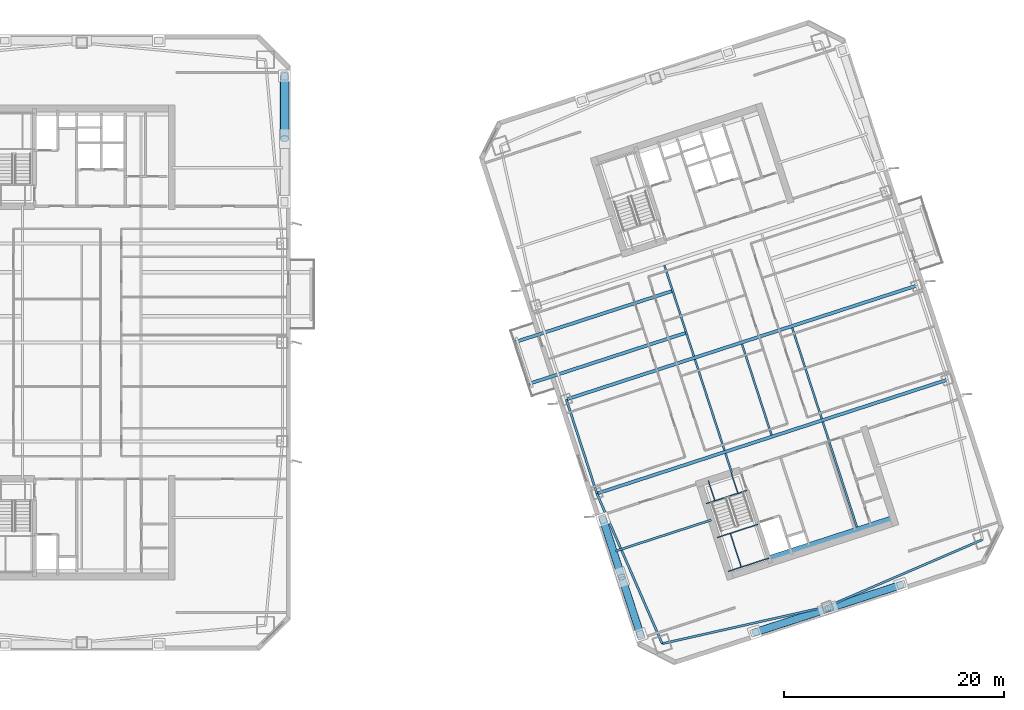
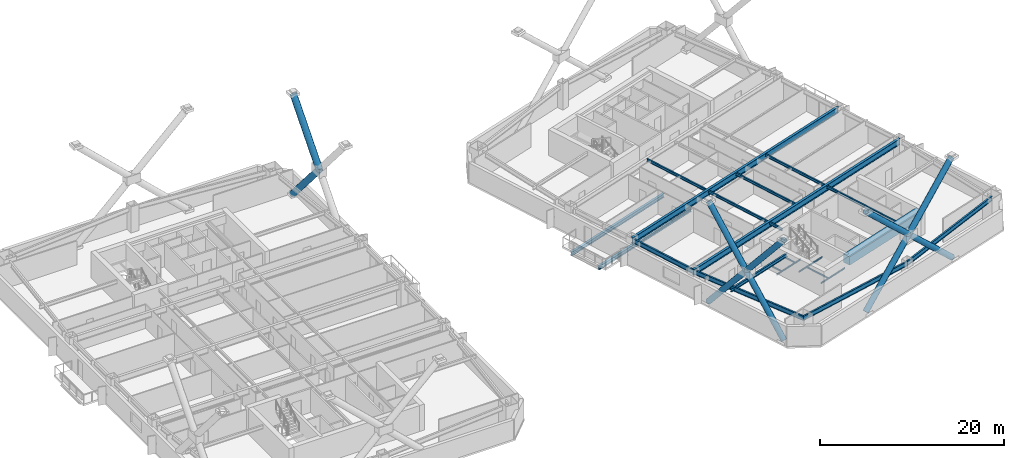
# One storey, part 8 of 24: 22 beams, 10 members.
"""IFC4 building model written with IfcOpenShell, lengths in metres."""

from ifc_helpers import new_model, si_unit, direction, frame, origin, origin_2d, place, context, subcontext, project, spatial, rectangle, hollow_circle, i_section, extrude, material, material_profile, profile_set, type_object, element, save


model = new_model("IFC4")

# Units and contexts
model_context = context("Model", 3, precision=1e-05, world=origin(), true_north=direction((0.0, 1.0)))
body_context = subcontext(model_context, "Body", "Model", "MODEL_VIEW")
ifc_project = project(units=[si_unit("LENGTHUNIT", "METRE"), si_unit("AREAUNIT", "SQUARE_METRE"), si_unit("VOLUMEUNIT", "CUBIC_METRE"), si_unit("PLANEANGLEUNIT", "RADIAN"), si_unit("MASSUNIT", "GRAM", prefix="KILO")], contexts=[model_context])

# Site, building, storey
site_placement = place(None, origin())
site = spatial("IfcSite", under=ifc_project, at=site_placement, CompositionType="ELEMENT")
building_placement = place(site_placement, origin())
building = spatial("IfcBuilding", under=site, at=building_placement, Name="Qiaolan Cultural Towers", CompositionType="ELEMENT")
storey_placement = place(building_placement, frame((0.0, 0.0, 120.75)))
storey = spatial("IfcBuildingStorey", under=building, at=storey_placement, Name="L31", CompositionType="ELEMENT", Elevation=120.75)

# Beams
ifc_material_1 = material(Name="Steel Q355B", Category="steel")
ifc_material_profile_1 = material_profile(ifc_material_1, i_section(OverallWidth=0.300048828125, OverallDepth=0.488037109375, WebThickness=0.010986328125, FlangeThickness=0.01806640625, at=origin_2d()), Name="HM488x300x11x18")
ifc_profile_set_1 = profile_set([ifc_material_profile_1], Name="Steel Q355B")
beam_type_1 = type_object("IfcBeamType", Name="BM-HM488x300x11x18", PredefinedType="BEAM", material=ifc_profile_set_1)
for number, where, z_axis, x_axis, name in (
    (1, (84.978515625, 34.891845703125, -0.52392578125), (-0.95105683587, -0.309016010822, 0.0), (0.309016010822, -0.95105683587, 0.0), "L31 T2 Tree Balcony Back-Spanned Bracket Beam"),
    (2, (83.742431640625, 38.6962890625, -0.52392578125), (-0.95105206822, -0.309030683808, 0.0), (0.309030683808, -0.95105206822, 0.0), "L31 T2 Tree Balcony Back-Spanned Bracket Beam"),
):
    element("IfcBeam", number, at=place(storey_placement, frame(where, z_axis=z_axis, x_axis=x_axis)), inside=storey, type_object=beam_type_1, Name=name, PredefinedType="BEAM", context=body_context, shape_type="SweptSolid", body=[
        extrude(i_section(OverallWidth=0.300048828125, OverallDepth=0.488037109375, WebThickness=0.010986328125, FlangeThickness=0.01806640625, at=origin_2d()), origin(), (0.0, 0.0, 1.0), 15.0498046875),
    ])
ifc_material_2 = material(Name="Steel Q355B", Category="steel")
ifc_material_profile_2 = material_profile(ifc_material_2, i_section(OverallWidth=0.300048828125, OverallDepth=0.800048828125, WebThickness=0.013916015625, FlangeThickness=0.02587890625, at=origin_2d()), Name="HN800x300x14x26")
ifc_profile_set_2 = profile_set([ifc_material_profile_2], Name="Steel Q355B")
beam_type_2 = type_object("IfcBeamType", Name="BM-HN800x300x14x26", PredefinedType="BEAM", material=ifc_profile_set_2)
for number, where, z_axis, x_axis, name in (
    (3, (76.85107421875, 20.264404296875, 2.7900390625), (0.951056559899, 0.309016860175, 0.0), (-0.309016860175, 0.951056559899, 0.0), "L31 T2 Primary Transverse Girder V1"),
    (4, (74.06982421875, 28.823974609375, 2.7900390625), (0.951056559899, 0.309016860175, 0.0), (-0.309016860175, 0.951056559899, 0.0), "L31 T2 Primary Transverse Girder V2"),
):
    element("IfcBeam", number, at=place(storey_placement, frame(where, z_axis=z_axis, x_axis=x_axis)), inside=storey, type_object=beam_type_2, Name=name, PredefinedType="BEAM", context=body_context, shape_type="SweptSolid", body=[
        extrude(i_section(OverallWidth=0.300048828125, OverallDepth=0.800048828125, WebThickness=0.013916015625, FlangeThickness=0.02587890625, at=origin_2d()), origin(), (0.0, 0.0, 1.0), 33.5),
    ])
ifc_material_3 = material(Name="Steel Q355B", Category="steel")
ifc_material_profile_3 = material_profile(ifc_material_3, i_section(OverallWidth=0.175048828125, OverallDepth=0.35009765625, WebThickness=0.007080078125, FlangeThickness=0.010986328125, at=origin_2d()), Name="HN350x175x7x11")
ifc_profile_set_3 = profile_set([ifc_material_profile_3], Name="Steel Q355B")
beam_type_3 = type_object("IfcBeamType", Name="BM-JST-HN350x175x7x11", PredefinedType="JOIST", material=ifc_profile_set_3)
beam_1_placement = place(storey_placement, frame((89.119384765625, 22.147705078125, 3.014892578125), z_axis=(-0.308933885266, 0.951083516067, 0.0), x_axis=(-0.951083516067, -0.308933885266, 0.0)))
element("IfcBeam", 5, at=beam_1_placement, inside=storey, type_object=beam_type_3, Name="L31 T2 Secondary Floor Joist U1-1", PredefinedType="JOIST", context=body_context, shape_type="SweptSolid", body=[
    extrude(i_section(OverallWidth=0.175048828125, OverallDepth=0.35009765625, WebThickness=0.007080078125, FlangeThickness=0.010986328125, at=origin_2d()), origin(), (0.0, 0.0, 1.0), 1.85009765625),
])
for number, where, z_axis, x_axis, name in (
    (6, (88.455078125, 24.192626953125, 3.014892578125), (-0.309020714809, 0.951055307445, 0.0), (-0.951055307445, -0.309020714809, 0.0), "L31 T2 Secondary Floor Joist U1-2"),
    (7, (85.673828125, 32.752197265625, 3.014892578125), (-0.309020714809, 0.951055307445, 0.0), (-0.951055307445, -0.309020714809, 0.0), "L31 T2 Secondary Floor Joist U1-3"),
    (8, (92.73486328125, 25.583251953125, 3.014892578125), (-0.309020714809, 0.951055307445, 0.0), (-0.951055307445, -0.309020714809, 0.0), "L31 T2 Secondary Floor Joist U2-2"),
):
    element("IfcBeam", number, at=place(storey_placement, frame(where, z_axis=z_axis, x_axis=x_axis)), inside=storey, type_object=beam_type_3, Name=name, PredefinedType="JOIST", context=body_context, shape_type="SweptSolid", body=[
        extrude(i_section(OverallWidth=0.175048828125, OverallDepth=0.35009765625, WebThickness=0.007080078125, FlangeThickness=0.010986328125, at=origin_2d()), origin(), (0.0, 0.0, 1.0), 8.699951171875),
    ])
beam_2_placement = place(storey_placement, frame((100.498291015625, 17.222900390625, 3.014892578125), z_axis=(-0.309025649293, 0.951053704098, 0.0), x_axis=(-0.951053704098, -0.309025649293, 0.0)))
element("IfcBeam", 9, at=beam_2_placement, inside=storey, type_object=beam_type_3, Name="L31 T2 Secondary Floor Joist U3-1", PredefinedType="JOIST", context=body_context, shape_type="SweptSolid", body=[
    extrude(i_section(OverallWidth=0.175048828125, OverallDepth=0.35009765625, WebThickness=0.007080078125, FlangeThickness=0.010986328125, at=origin_2d()), origin(), (0.0, 0.0, 1.0), 10.050048828125),
])
beam_3_placement = place(storey_placement, frame((97.2998046875, 27.06640625, 3.014892578125), z_axis=(-0.309020714809, 0.951055307445, 0.0), x_axis=(-0.951055307445, -0.309020714809, 0.0)))
element("IfcBeam", 10, at=beam_3_placement, inside=storey, type_object=beam_type_3, Name="L31 T2 Secondary Floor Joist U3-2", PredefinedType="JOIST", context=body_context, shape_type="SweptSolid", body=[
    extrude(i_section(OverallWidth=0.175048828125, OverallDepth=0.35009765625, WebThickness=0.007080078125, FlangeThickness=0.010986328125, at=origin_2d()), origin(), (0.0, 0.0, 1.0), 8.699951171875),
])
ifc_material_4 = material(Name="Steel Q355B", Category="steel")
ifc_material_profile_4 = material_profile(ifc_material_4, i_section(OverallWidth=0.199951171875, OverallDepth=0.449951171875, WebThickness=0.009033203125, FlangeThickness=0.013916015625, at=origin_2d()), Name="HN450x200x9x14")
ifc_profile_set_4 = profile_set([ifc_material_profile_4], Name="Steel Q355B")
beam_type_4 = type_object("IfcBeamType", Name="BM-LNT-HN450x200x9x14", PredefinedType="LINTEL", material=ifc_profile_set_4)
beam_4_placement = place(storey_placement, frame((87.252685546875, 17.861083984375, 2.965087890625), z_axis=(-0.951059948176, -0.309006431933, 0.0), x_axis=(0.309006431933, -0.951059948176, 0.0)))
element("IfcBeam", 11, at=beam_4_placement, inside=storey, type_object=beam_type_4, Name="L31 T2 Core Flank Tie Lintel WS", PredefinedType="LINTEL", context=body_context, shape_type="SweptSolid", body=[
    extrude(i_section(OverallWidth=0.199951171875, OverallDepth=0.449951171875, WebThickness=0.009033203125, FlangeThickness=0.013916015625, at=origin_2d()), origin(), (0.0, 0.0, 1.0), 9.14990234375),
])
ifc_material_5 = material(Name="Concrete C50", Category="concrete")
ifc_material_profile_5 = material_profile(ifc_material_5, rectangle(XDim=0.89990234375, YDim=1.10009765625, at=origin_2d()), Name="RC900x1100")
ifc_profile_set_5 = profile_set([ifc_material_profile_5], Name="Concrete C50")
beam_type_5 = type_object("IfcBeamType", Name="BM-RC900x1100", PredefinedType="BEAM", material=ifc_profile_set_5)
beam_5_placement = place(storey_placement, frame((92.572265625, 14.174560546875, 2.639892578125), z_axis=(0.951056266386, 0.309017763514, 0.0), x_axis=(-0.309017763514, 0.951056266386, 0.0)))
element("IfcBeam", 12, at=beam_5_placement, inside=storey, type_object=beam_type_5, Name="L31 T2 Core Header Girder S", PredefinedType="BEAM", context=body_context, shape_type="SweptSolid", body=[
    extrude(rectangle(XDim=0.89990234375, YDim=1.10009765625, at=origin_2d()), origin(), (0.0, 0.0, 1.0), 11.880126953125),
])
ifc_material_6 = material(Name="Steel Q355B", Category="steel")
ifc_material_profile_6 = material_profile(ifc_material_6, i_section(OverallWidth=0.199951171875, OverallDepth=0.60009765625, WebThickness=0.010986328125, FlangeThickness=0.01708984375, at=origin_2d()), Name="HN600x200x11x17")
ifc_profile_set_6 = profile_set([ifc_material_profile_6], Name="Steel Q355B")
beam_type_6 = type_object("IfcBeamType", Name="BM-SPD-HN600x200x11x17", PredefinedType="SPANDREL", material=ifc_profile_set_6)
beam_6_placement = place(storey_placement, frame((82.79052734375, 6.611572265625, 2.889892578125), z_axis=(0.975658154374, 0.219296980836, 0.0), x_axis=(-0.219296980836, 0.975658154374, 0.0)))
element("IfcBeam", 13, at=beam_6_placement, inside=storey, type_object=beam_type_6, Name="L31 T2 Perimeter Spandrel Beam 1", PredefinedType="SPANDREL", context=body_context, shape_type="SweptSolid", body=[
    extrude(i_section(OverallWidth=0.199951171875, OverallDepth=0.60009765625, WebThickness=0.010986328125, FlangeThickness=0.01708984375, at=origin_2d()), origin(), (0.0, 0.0, 1.0), 15.38671875),
])
beam_7_placement = place(storey_placement, frame((97.802734375, 9.98583984375, 2.889892578125), z_axis=(0.918217549337, 0.396076422032, 0.0), x_axis=(-0.396076422032, 0.918217549337, 0.0)))
element("IfcBeam", 14, at=beam_7_placement, inside=storey, type_object=beam_type_6, Name="L31 T2 Perimeter Spandrel Beam 2", PredefinedType="SPANDREL", context=body_context, shape_type="SweptSolid", body=[
    extrude(i_section(OverallWidth=0.199951171875, OverallDepth=0.60009765625, WebThickness=0.010986328125, FlangeThickness=0.01708984375, at=origin_2d()), origin(), (0.0, 0.0, 1.0), 15.386474609375),
])
beam_8_placement = place(storey_placement, frame((74.06982421875, 28.823974609375, 2.889892578125), z_axis=(0.309024734286, -0.951054001411, 0.0), x_axis=(0.951054001411, 0.309024734286, 0.0)))
element("IfcBeam", 15, at=beam_8_placement, inside=storey, type_object=beam_type_6, Name="L31 T2 Perimeter Spandrel Beam 11", PredefinedType="SPANDREL", context=body_context, shape_type="SweptSolid", body=[
    extrude(i_section(OverallWidth=0.199951171875, OverallDepth=0.60009765625, WebThickness=0.010986328125, FlangeThickness=0.01708984375, at=origin_2d()), origin(), (0.0, 0.0, 1.0), 9.0),
])
beam_9_placement = place(storey_placement, frame((76.85107421875, 20.264404296875, 2.889892578125), z_axis=(0.398920370799, -0.916985571185, 0.0), x_axis=(0.916985571185, 0.398920370799, 0.0)))
element("IfcBeam", 16, at=beam_9_placement, inside=storey, type_object=beam_type_6, Name="L31 T2 Perimeter Spandrel Beam 12", PredefinedType="SPANDREL", context=body_context, shape_type="SweptSolid", body=[
    extrude(i_section(OverallWidth=0.199951171875, OverallDepth=0.60009765625, WebThickness=0.010986328125, FlangeThickness=0.01708984375, at=origin_2d()), origin(), (0.0, 0.0, 1.0), 14.888916015625),
])
ifc_material_7 = material(Name="Steel Q355B", Category="steel")
ifc_material_profile_7 = material_profile(ifc_material_7, i_section(OverallWidth=0.10009765625, OverallDepth=0.199951171875, WebThickness=0.005615234375, FlangeThickness=0.008056640625, at=origin_2d()), Name="HN200x100x5.5x8")
ifc_profile_set_7 = profile_set([ifc_material_profile_7], Name="Steel Q355B")
beam_type_7 = type_object("IfcBeamType", Name="BM-STTRIM-200", PredefinedType="BEAM", material=ifc_profile_set_7)
beam_10_placement = place(storey_placement, frame((86.770751953125, 19.3447265625, -0.4599609375), z_axis=(0.951047798727, 0.309043823005, 0.0), x_axis=(-0.309043823005, 0.951047798727, 0.0)))
element("IfcBeam", 17, at=beam_10_placement, inside=storey, type_object=beam_type_7, Name="L31 ST-E1 Floor Landing Header Beam", PredefinedType="BEAM", context=body_context, shape_type="SweptSolid", body=[
    extrude(i_section(OverallWidth=0.10009765625, OverallDepth=0.199951171875, WebThickness=0.005615234375, FlangeThickness=0.008056640625, at=origin_2d()), origin(), (0.0, 0.0, 1.0), 3.919921875),
])
for number, where, z_axis, x_axis, name in (
    (18, (86.9794921875, 21.452392578125, -0.4599609375), (0.309083226701, -0.951034993558, 0.0), (0.951034993558, 0.309083226701, 0.0), "L31 ST-E1 Floor Landing Stringer 1"),
    (19, (89.07177734375, 22.13232421875, -0.4599609375), (0.309083226701, -0.951034993558, 0.0), (0.951034993558, 0.309083226701, 0.0), "L31 ST-E1 Floor Landing Stringer 2"),
):
    element("IfcBeam", number, at=place(storey_placement, frame(where, z_axis=z_axis, x_axis=x_axis)), inside=storey, type_object=beam_type_7, Name=name, PredefinedType="BEAM", context=body_context, shape_type="SweptSolid", body=[
        extrude(i_section(OverallWidth=0.10009765625, OverallDepth=0.199951171875, WebThickness=0.005615234375, FlangeThickness=0.008056640625, at=origin_2d()), origin(), (0.0, 0.0, 1.0), 1.93994140625),
    ])
for number, where, z_axis, x_axis, name in (
    (20, (87.774658203125, 16.255126953125, 1.425048828125), (0.951047798727, 0.309043823005, 0.0), (-0.309043823005, 0.951047798727, 0.0), "L31 ST-E1 Stair Landing Support Beam 1-1"),
    (21, (88.773193359375, 13.181884765625, 1.425048828125), (0.951047798727, 0.309043823005, 0.0), (-0.309043823005, 0.951047798727, 0.0), "L31 ST-E1 Stair Landing Support Beam 1-2"),
):
    element("IfcBeam", number, at=place(storey_placement, frame(where, z_axis=z_axis, x_axis=x_axis)), inside=storey, type_object=beam_type_7, Name=name, PredefinedType="BEAM", context=body_context, shape_type="SweptSolid", body=[
        extrude(i_section(OverallWidth=0.10009765625, OverallDepth=0.199951171875, WebThickness=0.005615234375, FlangeThickness=0.008056640625, at=origin_2d()), origin(), (0.0, 0.0, 1.0), 3.919921875),
    ])
beam_11_placement = place(storey_placement, frame((88.982421875, 16.6474609375, 1.425048828125), z_axis=(0.309033108495, -0.951051280349, 0.0), x_axis=(0.951051280349, 0.309033108495, 0.0)))
element("IfcBeam", 22, at=beam_11_placement, inside=storey, type_object=beam_type_7, Name="L31 ST-E1 Stair Landing Trimmer 1", PredefinedType="BEAM", context=body_context, shape_type="SweptSolid", body=[
    extrude(i_section(OverallWidth=0.10009765625, OverallDepth=0.199951171875, WebThickness=0.005615234375, FlangeThickness=0.008056640625, at=origin_2d()), origin(), (0.0, 0.0, 1.0), 3.231201171875),
])

# Members
ifc_material_8 = material(Name="Steel Q355B", Category="steel")
ifc_material_profile_8 = material_profile(ifc_material_8, hollow_circle(Radius=0.35009765625, WallThickness=0.034912109375, at=origin_2d()), Name="CHS700x35")
ifc_profile_set_8 = profile_set([ifc_material_profile_8], Name="Steel Q355B")
member_type_1 = type_object("IfcMemberType", Name="MBR-BRC-CHS700x35", PredefinedType="BRACE", material=ifc_profile_set_8)
for number, where, z_axis, x_axis, name in (
    (23, (80.817138671875, 7.410888671875, 0.14990234375), (-0.197058196236, 0.60641743746, 0.770341456005), (-0.951046732174, -0.309047105182, 0.0), "T2 WEST Perimeter Frame Diagonal E-Z2-M4-D1A"),
    (24, (79.109619140625, 12.66552734375, 6.824951171875), (-0.197031114792, 0.606420804185, 0.770345732808), (-0.951059719012, -0.309007137251, 0.0), "T2 WEST Perimeter Frame Diagonal E-Z2-M4-D1B"),
    (25, (77.40234375, 17.920166015625, 0.14990234375), (0.197031114792, -0.606420804185, 0.770345732808), (0.951059719012, 0.309007137251, 0.0), "T2 WEST Perimeter Frame Diagonal E-Z2-M4-D2A"),
    (26, (79.109619140625, 12.66552734375, 6.824951171875), (0.197058196236, -0.60641743746, 0.770341456005), (0.951046732174, 0.309047105182, 0.0), "T2 WEST Perimeter Frame Diagonal E-Z2-M4-D2B"),
):
    element("IfcMember", number, at=place(storey_placement, frame(where, z_axis=z_axis, x_axis=x_axis)), inside=storey, type_object=member_type_1, Name=name, PredefinedType="BRACE", context=body_context, shape_type="SweptSolid", body=[
        extrude(hollow_circle(Radius=0.35009765625, WallThickness=0.034912109375, at=origin_2d()), origin(), (0.0, 0.0, 1.0), 8.6650390625),
    ])
for number, where, z_axis, x_axis, name in (
    (27, (91.20703125, 7.632568359375, 0.14990234375), (0.688288969768, 0.223632706448, 0.690106301016), (-0.309009574742, 0.951058927048, 0.0), "T2 SOUTH Perimeter Frame Diagonal E-Z2-M4-D1A"),
    (28, (97.864501953125, 9.795654296875, 6.824951171875), (0.688288969768, 0.223632706448, 0.690106301016), (-0.309009574742, 0.951058927048, 0.0), "T2 SOUTH Perimeter Frame Diagonal E-Z2-M4-D1B"),
    (29, (104.52197265625, 11.958740234375, 0.14990234375), (-0.688288969768, -0.223632706448, 0.690106301016), (0.309009574742, -0.951058927048, 0.0), "T2 SOUTH Perimeter Frame Diagonal E-Z2-M4-D2A"),
    (30, (97.864501953125, 9.795654296875, 6.824951171875), (-0.688288969768, -0.223632706448, 0.690106301016), (0.309009574742, -0.951058927048, 0.0), "T2 SOUTH Perimeter Frame Diagonal E-Z2-M4-D2B"),
):
    element("IfcMember", number, at=place(storey_placement, frame(where, z_axis=z_axis, x_axis=x_axis)), inside=storey, type_object=member_type_1, Name=name, PredefinedType="BRACE", context=body_context, shape_type="SweptSolid", body=[
        extrude(hollow_circle(Radius=0.35009765625, WallThickness=0.034912109375, at=origin_2d()), origin(), (0.0, 0.0, 1.0), 9.672607421875),
    ])
ifc_material_9 = material(Name="Steel Q390GJB", Category="steel")
ifc_material_profile_9 = material_profile(ifc_material_9, hollow_circle(Radius=0.39990234375, WallThickness=0.0400390625, at=origin_2d()), Name="CHS800x40")
ifc_profile_set_9 = profile_set([ifc_material_profile_9], Name="Steel Q390GJB")
member_type_2 = type_object("IfcMemberType", Name="MBR-BRC-CHS800x40", PredefinedType="BRACE", material=ifc_profile_set_9)
for number, where, z_axis, x_axis, name in (
    (31, (48.449951171875, 52.52490234375, 6.824951171875), (0.0, 0.651029118639, 0.759052756193), (-1.0, 0.0, 0.0), "T1 EAST Perimeter Frame Diagonal W-Z2-M3-D1B"),
    (32, (48.449951171875, 58.25, 0.14990234375), (0.0, -0.651029118639, 0.759052756193), (1.0, 0.0, 0.0), "T1 EAST Perimeter Frame Diagonal W-Z2-M3-D2A"),
):
    element("IfcMember", number, at=place(storey_placement, frame(where, z_axis=z_axis, x_axis=x_axis)), inside=storey, type_object=member_type_2, Name=name, PredefinedType="BRACE", context=body_context, shape_type="SweptSolid", body=[
        extrude(hollow_circle(Radius=0.39990234375, WallThickness=0.0400390625, at=origin_2d()), origin(), (0.0, 0.0, 1.0), 8.7939453125),
    ])

save(model, "model.ifc")
